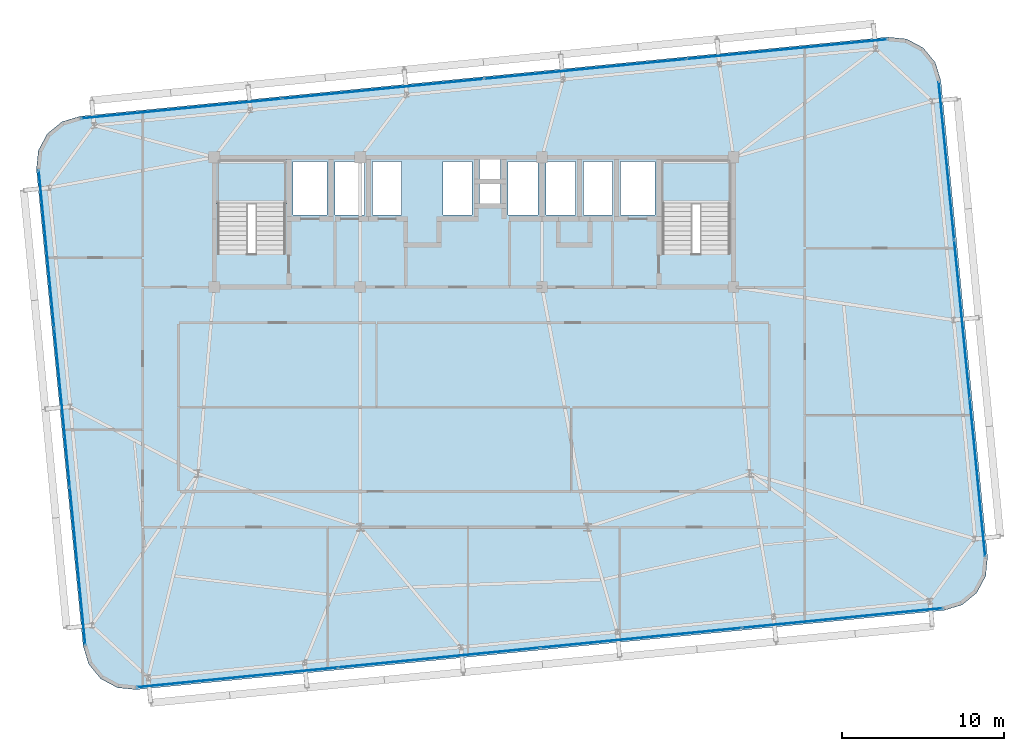
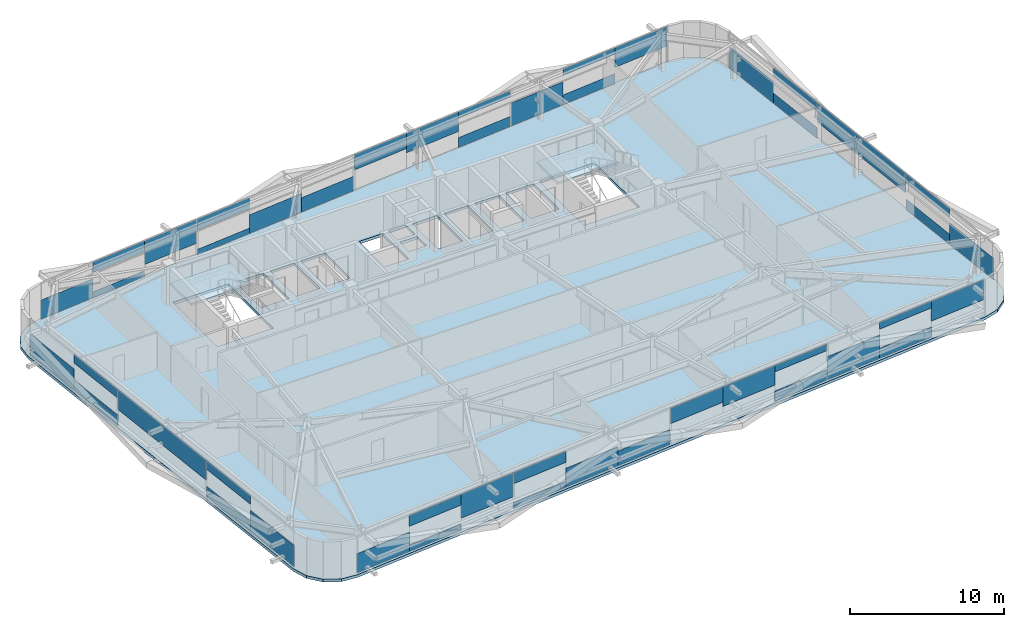
# One storey, part 32 of 47: 46 plates, 3 slabs, 6 elements without a shape of their own.
"""IFC4 building model written with IfcOpenShell, lengths in metres."""

import ifcopenshell
import ifcopenshell.guid

model = None  # the IFC model being written
_history = None  # IfcOwnerHistory: only IFC2X3 demands one
_inside = {}  # id of a spatial element -> (the spatial element, [elements in it])
_under = {}  # id of a project, library or spatial element -> (it, [spatial elements below it])
_declared = {}  # id of a project -> (the project, [libraries it declares])
_typed = {}  # id of a type object -> (the type object, [elements of that type])
_made_of = {}  # id of a material, layer set ... -> (it, [elements and type objects made of it])


def new_model(schema):
    """Start an empty IFC model of exactly this schema.

    Asked for "IFC4X3", IfcOpenShell would pick the latest addendum, in which some entities
    have other attributes; the version numbers below select the first issue.
    IFC2X3 requires an IfcOwnerHistory on every rooted entity: one is made here for all.
    """
    global model, _history
    if schema == "IFC4X3":
        model = ifcopenshell.file(schema_version=(4, 3, 0, 0))
    else:
        model = ifcopenshell.file(schema=schema)
    _inside.clear()
    _under.clear()
    _declared.clear()
    _typed.clear()
    _made_of.clear()
    _history = None
    if model.schema == "IFC2X3":
        org = make("IfcOrganization", Name="unknown")
        user = make(
            "IfcPersonAndOrganization",
            ThePerson=make("IfcPerson", FamilyName="unknown"),
            TheOrganization=org,
        )
        app = make(
            "IfcApplication",
            ApplicationDeveloper=org,
            Version="unknown",
            ApplicationFullName="unknown",
            ApplicationIdentifier="unknown",
        )
        _history = make(
            "IfcOwnerHistory",
            OwningUser=user,
            OwningApplication=app,
            ChangeAction="ADDED",
            CreationDate=0,
        )
    return model


def make(cls, **values):
    """One entity of the class cls with the attributes given. An attribute that is None is left unset."""
    return model.create_entity(
        cls, **{name: value for name, value in values.items() if value is not None}
    )


def rooted(cls, **values):
    """An entity with a GlobalId (a new one), such as an element, a storey or a relation."""
    return make(cls, GlobalId=ifcopenshell.guid.new(), OwnerHistory=_history, **values)


def si_unit(unit_type, name, prefix=None):
    """IfcSIUnit, for example si_unit("LENGTHUNIT", "METRE", prefix="MILLI")."""
    return make("IfcSIUnit", UnitType=unit_type, Prefix=prefix, Name=name)


def assignment(units):
    """IfcUnitAssignment: the units of a project."""
    return None if units is None else make("IfcUnitAssignment", Units=units)


def point(xyz):
    """IfcCartesianPoint."""
    return None if xyz is None else make("IfcCartesianPoint", Coordinates=xyz)


def direction(xyz):
    """IfcDirection."""
    return None if xyz is None else make("IfcDirection", DirectionRatios=xyz)


def frame(location, z_axis=None, x_axis=None):
    """IfcAxis2Placement3D, a coordinate frame: its origin and axes. An axis left out is left unset."""
    return make(
        "IfcAxis2Placement3D",
        Location=point(location),
        Axis=direction(z_axis),
        RefDirection=direction(x_axis),
    )


def frame_2d(location, x_axis=None):
    """IfcAxis2Placement2D, a coordinate frame in the plane: its origin and x axis."""
    return make(
        "IfcAxis2Placement2D", Location=point(location), RefDirection=direction(x_axis)
    )


def origin():
    """The frame at (0, 0, 0) with its axes left unset."""
    return frame((0.0, 0.0, 0.0))


def origin_2d():
    """The frame at (0, 0) in the plane with its x axis left unset."""
    return frame_2d((0.0, 0.0))


def place(relative_to, where):
    """IfcLocalPlacement: puts the frame where relative to a parent placement (None: the world)."""
    return make(
        "IfcLocalPlacement", PlacementRelTo=relative_to, RelativePlacement=where
    )


def context(
    kind, dimensions, precision=None, world=None, true_north=None, identifier=None
):
    """IfcGeometricRepresentationContext, for example the 3D "Model" context."""
    return make(
        "IfcGeometricRepresentationContext",
        ContextIdentifier=identifier,
        ContextType=kind,
        CoordinateSpaceDimension=dimensions,
        Precision=precision,
        WorldCoordinateSystem=world,
        TrueNorth=true_north,
    )


def subcontext(parent, identifier, kind, view, scale=None):
    """IfcGeometricRepresentationSubContext, for example "Body" below "Model"."""
    return make(
        "IfcGeometricRepresentationSubContext",
        ContextIdentifier=identifier,
        ContextType=kind,
        ParentContext=parent,
        TargetScale=scale,
        TargetView=view,
    )


def project(units=None, contexts=None):
    """IfcProject with its units and contexts."""
    return rooted(
        "IfcProject",
        Name="project",
        RepresentationContexts=contexts,
        UnitsInContext=assignment(units),
    )


def spatial(cls, under=None, at=None, **own):
    """A site, building, storey or space (cls), placed at a placement, below another one or the project."""
    s = rooted(cls, ObjectPlacement=at, **own)
    if under is not None:
        _under.setdefault(under.id(), (under, []))[1].append(s)
    return s


def polyline(points):
    """IfcPolyline through the points."""
    return make("IfcPolyline", Points=[point(p) for p in points])


def profile(cls, at=None, kind="AREA", **sizes):
    """A parametric profile (cls). Its sizes go by their IFC names, for example OverallWidth=200.0."""
    return make(cls, ProfileType=kind, Position=at, **sizes)


def rectangle(**sizes):
    """IfcRectangleProfileDef."""
    return profile("IfcRectangleProfileDef", **sizes)


def outline(outer, holes=None, kind="AREA"):
    """IfcArbitraryClosedProfileDef: a profile drawn as a closed curve; with holes, ...WithVoids."""
    if holes is None:
        return make("IfcArbitraryClosedProfileDef", ProfileType=kind, OuterCurve=outer)
    return make(
        "IfcArbitraryProfileDefWithVoids",
        ProfileType=kind,
        OuterCurve=outer,
        InnerCurves=holes,
    )


def extrude(swept, where, along, depth):
    """IfcExtrudedAreaSolid: the profile swept, set in the frame where, extruded along a direction by depth."""
    return make(
        "IfcExtrudedAreaSolid",
        SweptArea=swept,
        Position=where,
        ExtrudedDirection=direction(along),
        Depth=depth,
    )


def shape(context_of_items, identifier, shape_type, items):
    """IfcShapeRepresentation: the items that make up one representation, for example the "Body"."""
    return make(
        "IfcShapeRepresentation",
        ContextOfItems=context_of_items,
        RepresentationIdentifier=identifier,
        RepresentationType=shape_type,
        Items=items,
    )


def source(mapping_origin, context_of_items, identifier, shape_type, items):
    """IfcRepresentationMap: a shape defined once, which mapped items show again and again."""
    return make(
        "IfcRepresentationMap",
        MappingOrigin=mapping_origin,
        MappedRepresentation=shape(context_of_items, identifier, shape_type, items),
    )


def transform(
    local_origin,
    x_axis=None,
    y_axis=None,
    z_axis=None,
    scale=None,
    scale2=None,
    scale3=None,
    uniform=True,
):
    """IfcCartesianTransformationOperator3D, or its non-uniform kind. x_axis, y_axis, z_axis: its Axis1, 2, 3."""
    if uniform:
        return make(
            "IfcCartesianTransformationOperator3D",
            Axis1=direction(x_axis),
            Axis2=direction(y_axis),
            LocalOrigin=point(local_origin),
            Scale=scale,
            Axis3=direction(z_axis),
        )
    return make(
        "IfcCartesianTransformationOperator3DnonUniform",
        Axis1=direction(x_axis),
        Axis2=direction(y_axis),
        LocalOrigin=point(local_origin),
        Scale=scale,
        Axis3=direction(z_axis),
        Scale2=scale2,
        Scale3=scale3,
    )


def mapped(mapping_source, mapping_target):
    """IfcMappedItem: shows the shape of a source again, moved by a transform."""
    return make(
        "IfcMappedItem", MappingSource=mapping_source, MappingTarget=mapping_target
    )


def material(Name=None, Category=None):
    """IfcMaterial."""
    return make("IfcMaterial", Name=Name, Category=Category)


def layer(
    of_material, thickness, ventilated=None, Name=None, Category=None, Priority=None
):
    """IfcMaterialLayer: one layer of a wall or slab, of a material (None: an air gap)."""
    return make(
        "IfcMaterialLayer",
        Material=of_material,
        LayerThickness=thickness,
        IsVentilated=ventilated,
        Name=Name,
        Category=Category,
        Priority=Priority,
    )


def layer_set(layers, Name=None):
    """IfcMaterialLayerSet."""
    return make("IfcMaterialLayerSet", MaterialLayers=layers, LayerSetName=Name)


def made_of(thing, what):
    """Note that an element or type object is made of a material, layer set ...; save() writes the relation."""
    if what is not None:
        _made_of.setdefault(what.id(), (what, []))[1].append(thing)
    return thing


def type_object(cls, material=None, **own):
    """A type object (cls), such as IfcWallType, which elements share."""
    return made_of(rooted(cls, **own), material)


def element(
    cls,
    number,
    at=None,
    inside=None,
    cuts=None,
    type_object=None,
    material=None,
    context=None,
    identifier="Body",
    shape_type=None,
    held_by="IfcProductDefinitionShape",
    body=None,
    shapes=None,
    **own,
):
    """One element of the class cls, such as IfcWall. Its Tag is "e" and its number.

    at: its placement. inside: the storey or other place that contains it. cuts: it is an
    opening in that element (IfcRelVoidsElement). A single representation is given by context,
    identifier, shape_type and body (its items); several are given by shapes. held_by: the class
    of the entity that holds the representations. save() writes the other relations.
    """
    e = rooted(cls, Tag="e%d" % number, ObjectPlacement=at, **own)
    if body is not None:
        shapes = [shape(context, identifier, shape_type, body)]
    if shapes is not None:
        e.Representation = make(held_by, Representations=shapes)
    if inside is not None:
        _inside.setdefault(inside.id(), (inside, []))[1].append(e)
    if cuts is not None:
        rooted(
            "IfcRelVoidsElement", RelatingBuildingElement=cuts, RelatedOpeningElement=e
        )
    if type_object is not None:
        _typed.setdefault(type_object.id(), (type_object, []))[1].append(e)
    return made_of(e, material)


def aggregate(whole, parts):
    """IfcRelAggregates: a whole, such as a stair, and the parts it consists of."""
    return rooted("IfcRelAggregates", RelatingObject=whole, RelatedObjects=parts)


def save(model, path):
    """Write the relations noted so far, then the file.

    IfcRelAggregates (storeys below a building ...), IfcRelContainedInSpatialStructure (elements
    in a storey), IfcRelDefinesByType, IfcRelAssociatesMaterial and IfcRelDeclares: one each for
    every whole, place, type object, material and project.
    """
    for whole, parts in _under.values():
        aggregate(whole, parts)
    for where, things in _inside.values():
        rooted(
            "IfcRelContainedInSpatialStructure",
            RelatedElements=things,
            RelatingStructure=where,
        )
    for kind, things in _typed.values():
        rooted("IfcRelDefinesByType", RelatedObjects=things, RelatingType=kind)
    for what, things in _made_of.values():
        rooted("IfcRelAssociatesMaterial", RelatedObjects=things, RelatingMaterial=what)
    for by, libraries in _declared.values():
        rooted("IfcRelDeclares", RelatingContext=by, RelatedDefinitions=libraries)
    model.write(path)


model = new_model("IFC4")

# Units and contexts
model_context = context("Model", 3, precision=1e-05, world=origin(), true_north=direction((0.0, 1.0)))
body_context = subcontext(model_context, "Body", "Model", "MODEL_VIEW")
ifc_project = project(units=[si_unit("LENGTHUNIT", "METRE"), si_unit("AREAUNIT", "SQUARE_METRE"), si_unit("VOLUMEUNIT", "CUBIC_METRE"), si_unit("PLANEANGLEUNIT", "RADIAN"), si_unit("MASSUNIT", "GRAM", prefix="KILO")], contexts=[model_context])

# Site, building, storey
site_placement = place(None, origin())
site = spatial("IfcSite", under=ifc_project, at=site_placement, CompositionType="ELEMENT")
building_placement = place(site_placement, origin())
building = spatial("IfcBuilding", under=site, at=building_placement, Name="Taldren Reach Tower", CompositionType="ELEMENT")
storey_placement = place(building_placement, frame((0.0, 0.0, 90.300048828125)))
storey = spatial("IfcBuildingStorey", under=building, at=storey_placement, Name="L27", CompositionType="ELEMENT", Elevation=90.300048828125)

# Slab
ifc_material_1 = material(Name="Concrete N40 (40 MPa)", Category="concrete")
ifc_layer_1 = layer(ifc_material_1, 0.219970703125)
ifc_layer_set_1 = layer_set([ifc_layer_1], Name="Concrete N40 (40 MPa)")
slab_type_1 = type_object("IfcSlabType", Name="SL-FLR-220", PredefinedType="FLOOR", material=ifc_layer_set_1)
slab_1_placement = place(storey_placement, frame((0.0, 0.0, -0.219970703125)))
element("IfcSlab", 1, at=slab_1_placement, inside=storey, type_object=slab_type_1, Name="Suspended floor slab L27", PredefinedType="FLOOR", context=body_context, shape_type="SweptSolid", body=[
    extrude(outline(polyline([(63.962890625, 4.07421875), (65.0830078125, 4.41357421875), (65.98828125, 5.15576171875), (66.54052734375, 6.187744140625), (66.65576171875, 7.352783203125), (63.777099609375, 36.7119140625), (63.437744140625, 37.832275390625), (62.695556640625, 38.7373046875), (61.663330078125, 39.28955078125), (60.49853515625, 39.40478515625), (10.7373046875, 34.525634765625), (9.616943359375, 34.1865234375), (8.711669921875, 33.4443359375), (8.159423828125, 32.412109375), (8.044189453125, 31.247314453125), (10.923095703125, 1.88818359375), (11.26220703125, 0.767822265625), (12.00439453125, -0.137451171875), (13.03662109375, -0.689697265625), (14.201416015625, -0.804931640625), (63.962890625, 4.07421875)]), holes=[polyline([(19.219970703125, 26.050048828125), (23.3798828125, 26.050048828125), (23.3798828125, 31.820068359375), (19.219970703125, 31.820068359375), (19.219970703125, 26.050048828125)]), polyline([(46.6201171875, 26.050048828125), (50.780029296875, 26.050048828125), (50.780029296875, 31.820068359375), (46.6201171875, 31.820068359375), (46.6201171875, 26.050048828125)]), polyline([(23.85009765625, 28.449951171875), (25.949951171875, 28.449951171875), (25.949951171875, 31.75), (23.85009765625, 31.75), (23.85009765625, 28.449951171875)]), polyline([(44.050048828125, 28.449951171875), (46.14990234375, 28.449951171875), (46.14990234375, 31.75), (44.050048828125, 31.75), (44.050048828125, 28.449951171875)]), polyline([(26.449951171875, 28.449951171875), (28.25, 28.449951171875), (28.25, 31.75), (26.449951171875, 31.75), (26.449951171875, 28.449951171875)]), polyline([(28.75, 28.449951171875), (30.550048828125, 28.449951171875), (30.550048828125, 31.75), (28.75, 31.75), (28.75, 28.449951171875)]), polyline([(33.10009765625, 28.449951171875), (34.89990234375, 28.449951171875), (34.89990234375, 31.75), (33.10009765625, 31.75), (33.10009765625, 28.449951171875)]), polyline([(37.10009765625, 28.449951171875), (38.949951171875, 28.449951171875), (38.949951171875, 31.75), (37.10009765625, 31.75), (37.10009765625, 28.449951171875)]), polyline([(39.449951171875, 28.449951171875), (41.25, 28.449951171875), (41.25, 31.75), (39.449951171875, 31.75), (39.449951171875, 28.449951171875)]), polyline([(41.75, 28.449951171875), (43.550048828125, 28.449951171875), (43.550048828125, 31.75), (41.75, 31.75), (41.75, 28.449951171875)]), polyline([(35.35009765625, 30.64990234375), (36.64990234375, 30.64990234375), (36.64990234375, 31.85009765625), (35.35009765625, 31.85009765625), (35.35009765625, 30.64990234375)]), polyline([(35.35009765625, 29.14990234375), (36.64990234375, 29.14990234375), (36.64990234375, 30.35009765625), (35.35009765625, 30.35009765625), (35.35009765625, 29.14990234375)])]), origin(), (0.0, 0.0, 1.0), 0.219970703125),
])

# Stair, slab
ifc_material_2 = material(Name="Concrete S50 (50 MPa)", Category="concrete")
stair_type = type_object("IfcStairType", Name="ST-HT-315", PredefinedType="HALF_TURN_STAIR", material=ifc_material_2)
stair_1_placement = place(storey_placement, origin())
stair_1 = element("IfcStair", 2, at=stair_1_placement, inside=storey, type_object=stair_type, Name="Fire-isolated exit stair ST1 L27", PredefinedType="HALF_TURN_STAIR")
ifc_layer_2 = layer(ifc_material_2, 0.179931640625)
ifc_layer_set_2 = layer_set([ifc_layer_2], Name="Concrete S50 (50 MPa)")
slab_type_2 = type_object("IfcSlabType", Name="SL-LAND-180", PredefinedType="LANDING", material=ifc_layer_set_2)
slab_2_placement = place(storey_placement, frame((0.0, 0.0, 1.39501953125)))
slab_2 = element("IfcSlab", 3, at=slab_2_placement, type_object=slab_type_2, Name="ST1 landing 1", PredefinedType="LANDING", context=body_context, shape_type="SweptSolid", body=[
    extrude(outline(polyline([(19.0400390625, 29.135009765625), (23.56005859375, 29.135009765625), (23.56005859375, 31.8701171875), (19.0400390625, 31.8701171875), (19.0400390625, 29.135009765625)])), origin(), (0.0, 0.0, 1.0), 0.179931640625),
])
aggregate(stair_1, [slab_2])

stair_2_placement = place(storey_placement, origin())
stair_2 = element("IfcStair", 4, at=stair_2_placement, inside=storey, type_object=stair_type, Name="Fire-isolated exit stair ST2 L27", PredefinedType="HALF_TURN_STAIR")
slab_3_placement = place(storey_placement, frame((0.0, 0.0, 1.39501953125)))
slab_3 = element("IfcSlab", 5, at=slab_3_placement, type_object=slab_type_2, Name="ST2 landing 1", PredefinedType="LANDING", context=body_context, shape_type="SweptSolid", body=[
    extrude(outline(polyline([(46.43994140625, 29.135009765625), (50.9599609375, 29.135009765625), (50.9599609375, 31.8701171875), (46.43994140625, 31.8701171875), (46.43994140625, 29.135009765625)])), origin(), (0.0, 0.0, 1.0), 0.179931640625),
])
aggregate(stair_2, [slab_3])

# Curtain wall, plate
ifc_material_3 = material(Name="Aluminium and Low-E Glass Unitised System", Category="aluminium")
ifc_layer_3 = layer(ifc_material_3, 0.159912109375)
ifc_layer_set_3 = layer_set([ifc_layer_3], Name="Aluminium and Low-E Glass Unitised System")
curtain_wall_type = type_object("IfcCurtainWallType", Name="CW-SYS-3", PredefinedType="NOTDEFINED", material=ifc_layer_set_3)
curtain_wall_1_placement = place(storey_placement, origin())
curtain_wall_1 = element("IfcCurtainWall", 6, at=curtain_wall_1_placement, inside=storey, type_object=curtain_wall_type, Name="Unitised curtain wall CW-L27-S", PredefinedType="NOTDEFINED")
ifc_material_4 = material(Name="Solar-Control Double Glazed IGU", Category="glass")
ifc_layer_4 = layer(ifc_material_4, 0.031982421875)
ifc_layer_set_4 = layer_set([ifc_layer_4], Name="Solar-Control Double Glazed IGU")
plate_type = type_object("IfcPlateType", Name="CW-PNL-IGU32", PredefinedType="CURTAIN_PANEL", material=ifc_layer_set_4)
shared_shape_1 = source(origin(), body_context, "Body", "SweptSolid", [
    extrude(rectangle(XDim=4.13427734375, YDim=0.031982421875, at=origin_2d()), origin(), (0.0, 0.0, 1.0), 1.5595703125),
])
plate_1_placement = place(storey_placement, frame((61.8271484375, 4.005615234375, 1.3154296875), z_axis=(0.0, 0.0, 1.0), x_axis=(0.995227390247, 0.097582999046, 0.0)))
plate_1 = element("IfcPlate", 7, at=plate_1_placement, type_object=plate_type, Name="CW-3 panel 4.1 part 4", PredefinedType="CURTAIN_PANEL", context=body_context, shape_type="MappedRepresentation", body=[
    mapped(shared_shape_1, transform((0.0, 0.0, 0.0), scale=1.0)),
])

curtain_wall_2_placement = place(storey_placement, origin())
curtain_wall_2 = element("IfcCurtainWall", 8, at=curtain_wall_2_placement, inside=storey, type_object=curtain_wall_type, Name="Unitised curtain wall CW-L27-N", PredefinedType="NOTDEFINED")
plate_2_placement = place(storey_placement, frame((58.390380859375, 39.057373046875, 1.3154296875), z_axis=(0.0, 0.0, 1.0), x_axis=(-0.995227390247, -0.097582999046, 0.0)))
plate_2 = element("IfcPlate", 9, at=plate_2_placement, type_object=plate_type, Name="CW-3 panel 1.1 part 1", PredefinedType="CURTAIN_PANEL", context=body_context, shape_type="MappedRepresentation", body=[
    mapped(shared_shape_1, transform((0.0, 0.0, 0.0), scale=1.0)),
])

# Plate
shared_shape_2 = source(origin(), body_context, "Body", "SweptSolid", [
    extrude(rectangle(XDim=4.13427734375, YDim=0.031982421875, at=origin_2d()), origin(), (0.0, 0.0, 1.0), 0.776123046875),
])
plate_3_placement = place(storey_placement, frame((57.712890625, 3.60205078125, 0.05517578125), z_axis=(0.0, 0.0, 1.0), x_axis=(0.995227390247, 0.097582999046, 0.0)))
plate_3 = element("IfcPlate", 10, at=plate_3_placement, type_object=plate_type, Name="CW-3 panel 4.1 part 2", PredefinedType="CURTAIN_PANEL", context=body_context, shape_type="MappedRepresentation", body=[
    mapped(shared_shape_2, transform((0.0, 0.0, 0.0), scale=1.0)),
])

plate_4_placement = place(storey_placement, frame((54.27587890625, 38.654052734375, 0.05517578125), z_axis=(0.0, 0.0, 1.0), x_axis=(-0.995227390247, -0.097582999046, 0.0)))
plate_4 = element("IfcPlate", 11, at=plate_4_placement, type_object=plate_type, Name="CW-3 panel 1.1 part 2", PredefinedType="CURTAIN_PANEL", context=body_context, shape_type="MappedRepresentation", body=[
    mapped(shared_shape_2, transform((0.0, 0.0, 0.0), scale=1.0)),
])

shared_shape_3 = source(origin(), body_context, "Body", "SweptSolid", [
    extrude(rectangle(XDim=4.13427734375, YDim=0.031982421875, at=origin_2d()), origin(), (0.0, 0.0, 1.0), 0.521728515625),
])
plate_5_placement = place(storey_placement, frame((57.712890625, 3.60205078125, 2.35302734375), z_axis=(0.0, 0.0, 1.0), x_axis=(0.995227390247, 0.097582999046, 0.0)))
plate_5 = element("IfcPlate", 12, at=plate_5_placement, type_object=plate_type, Name="CW-3 panel 4.1 part 3", PredefinedType="CURTAIN_PANEL", context=body_context, shape_type="MappedRepresentation", body=[
    mapped(shared_shape_3, transform((0.0, 0.0, 0.0), scale=1.0)),
])

plate_6_placement = place(storey_placement, frame((54.27587890625, 38.654052734375, 2.35302734375), z_axis=(0.0, 0.0, 1.0), x_axis=(-0.995227390247, -0.097582999046, 0.0)))
plate_6 = element("IfcPlate", 13, at=plate_6_placement, type_object=plate_type, Name="CW-3 panel 1.1 part 3", PredefinedType="CURTAIN_PANEL", context=body_context, shape_type="MappedRepresentation", body=[
    mapped(shared_shape_3, transform((0.0, 0.0, 0.0), scale=1.0)),
])

shared_shape_4 = source(origin(), body_context, "Body", "SweptSolid", [
    extrude(rectangle(XDim=4.13427734375, YDim=0.031982421875, at=origin_2d()), origin(), (0.0, 0.0, 1.0), 1.81396484375),
])
plate_7_placement = place(storey_placement, frame((53.598388671875, 3.19873046875, 0.054931640625), z_axis=(0.0, 0.0, 1.0), x_axis=(0.995227390247, 0.097582999046, 0.0)))
plate_7 = element("IfcPlate", 14, at=plate_7_placement, type_object=plate_type, Name="CW-3 panel 4.1 part 1", PredefinedType="CURTAIN_PANEL", context=body_context, shape_type="MappedRepresentation", body=[
    mapped(shared_shape_4, transform((0.0, 0.0, 0.0), scale=1.0)),
])

plate_8_placement = place(storey_placement, frame((50.161376953125, 38.250732421875, 0.054931640625), z_axis=(0.0, 0.0, 1.0), x_axis=(-0.995227390247, -0.097582999046, 0.0)))
plate_8 = element("IfcPlate", 15, at=plate_8_placement, type_object=plate_type, Name="CW-3 panel 1.1 part 4", PredefinedType="CURTAIN_PANEL", context=body_context, shape_type="MappedRepresentation", body=[
    mapped(shared_shape_4, transform((0.0, 0.0, 0.0), scale=1.0)),
])

shared_shape_5 = source(origin(), body_context, "Body", "SweptSolid", [
    extrude(rectangle(XDim=4.14501953125, YDim=0.031982421875, at=origin_2d()), origin(), (0.0, 0.0, 1.0), 0.797119140625),
])
plate_9_placement = place(storey_placement, frame((49.413818359375, 2.788330078125, 0.05517578125), z_axis=(0.0, 0.0, 1.0), x_axis=(0.995227390247, 0.097582999046, 0.0)))
plate_9 = element("IfcPlate", 16, at=plate_9_placement, type_object=plate_type, Name="CW-3 panel 3.1 part 3", PredefinedType="CURTAIN_PANEL", context=body_context, shape_type="MappedRepresentation", body=[
    mapped(shared_shape_5, transform((0.0, 0.0, 0.0), scale=1.0)),
])

plate_10_placement = place(storey_placement, frame((45.97705078125, 37.84033203125, 0.05517578125), z_axis=(0.0, 0.0, 1.0), x_axis=(-0.995227390247, -0.097582999046, 0.0)))
plate_10 = element("IfcPlate", 17, at=plate_10_placement, type_object=plate_type, Name="CW-3 panel 2.1 part 1", PredefinedType="CURTAIN_PANEL", context=body_context, shape_type="MappedRepresentation", body=[
    mapped(shared_shape_5, transform((0.0, 0.0, 0.0), scale=1.0)),
])

shared_shape_6 = source(origin(), body_context, "Body", "SweptSolid", [
    extrude(rectangle(XDim=4.14501953125, YDim=0.031982421875, at=origin_2d()), origin(), (0.0, 0.0, 1.0), 0.498046875),
])
plate_11_placement = place(storey_placement, frame((49.413818359375, 2.788330078125, 2.376953125), z_axis=(0.0, 0.0, 1.0), x_axis=(0.995227390247, 0.097582999046, 0.0)))
plate_11 = element("IfcPlate", 18, at=plate_11_placement, type_object=plate_type, Name="CW-3 panel 3.1 part 4", PredefinedType="CURTAIN_PANEL", context=body_context, shape_type="MappedRepresentation", body=[
    mapped(shared_shape_6, transform((0.0, 0.0, 0.0), scale=1.0)),
])

plate_12_placement = place(storey_placement, frame((45.97705078125, 37.84033203125, 2.376953125), z_axis=(0.0, 0.0, 1.0), x_axis=(-0.995227390247, -0.097582999046, 0.0)))
plate_12 = element("IfcPlate", 19, at=plate_12_placement, type_object=plate_type, Name="CW-3 panel 2.1 part 2", PredefinedType="CURTAIN_PANEL", context=body_context, shape_type="MappedRepresentation", body=[
    mapped(shared_shape_6, transform((0.0, 0.0, 0.0), scale=1.0)),
])

shared_shape_7 = source(origin(), body_context, "Body", "SweptSolid", [
    extrude(rectangle(XDim=4.14501953125, YDim=0.031982421875, at=origin_2d()), origin(), (0.0, 0.0, 1.0), 1.53857421875),
])
plate_13_placement = place(storey_placement, frame((45.28857421875, 2.384033203125, 1.33642578125), z_axis=(0.0, 0.0, 1.0), x_axis=(0.995227390247, 0.097582999046, 0.0)))
plate_13 = element("IfcPlate", 20, at=plate_13_placement, type_object=plate_type, Name="CW-3 panel 3.1 part 2", PredefinedType="CURTAIN_PANEL", context=body_context, shape_type="MappedRepresentation", body=[
    mapped(shared_shape_7, transform((0.0, 0.0, 0.0), scale=1.0)),
])

plate_14_placement = place(storey_placement, frame((41.851806640625, 37.435791015625, 1.33642578125), z_axis=(0.0, 0.0, 1.0), x_axis=(-0.995227390247, -0.097582999046, 0.0)))
plate_14 = element("IfcPlate", 21, at=plate_14_placement, type_object=plate_type, Name="CW-3 panel 2.1 part 3", PredefinedType="CURTAIN_PANEL", context=body_context, shape_type="MappedRepresentation", body=[
    mapped(shared_shape_7, transform((0.0, 0.0, 0.0), scale=1.0)),
])

shared_shape_8 = source(origin(), body_context, "Body", "SweptSolid", [
    extrude(rectangle(XDim=4.14501953125, YDim=0.031982421875, at=origin_2d()), origin(), (0.0, 0.0, 1.0), 1.2060546875),
])
plate_15_placement = place(storey_placement, frame((41.163330078125, 1.9794921875, 1.6689453125), z_axis=(0.0, 0.0, 1.0), x_axis=(0.995227390247, 0.097582999046, 0.0)))
plate_15 = element("IfcPlate", 22, at=plate_15_placement, type_object=plate_type, Name="CW-3 panel 3.1 part 1", PredefinedType="CURTAIN_PANEL", context=body_context, shape_type="MappedRepresentation", body=[
    mapped(shared_shape_8, transform((0.0, 0.0, 0.0), scale=1.0)),
])

plate_16_placement = place(storey_placement, frame((37.7265625, 37.03125, 1.6689453125), z_axis=(0.0, 0.0, 1.0), x_axis=(-0.995227390247, -0.097582999046, 0.0)))
plate_16 = element("IfcPlate", 23, at=plate_16_placement, type_object=plate_type, Name="CW-3 panel 2.1 part 4", PredefinedType="CURTAIN_PANEL", context=body_context, shape_type="MappedRepresentation", body=[
    mapped(shared_shape_8, transform((0.0, 0.0, 0.0), scale=1.0)),
])

shared_shape_9 = source(origin(), body_context, "Body", "SweptSolid", [
    extrude(rectangle(XDim=4.14501953125, YDim=0.031982421875, at=origin_2d()), origin(), (0.0, 0.0, 1.0), 1.14599609375),
])
plate_17_placement = place(storey_placement, frame((36.973388671875, 1.568603515625, 0.054931640625), z_axis=(0.0, 0.0, 1.0), x_axis=(0.995227390247, 0.097582999046, 0.0)))
plate_17 = element("IfcPlate", 24, at=plate_17_placement, type_object=plate_type, Name="CW-3 panel 2.1 part 4", PredefinedType="CURTAIN_PANEL", context=body_context, shape_type="MappedRepresentation", body=[
    mapped(shared_shape_9, transform((0.0, 0.0, 0.0), scale=1.0)),
])

plate_18_placement = place(storey_placement, frame((33.53662109375, 36.62060546875, 0.054931640625), z_axis=(0.0, 0.0, 1.0), x_axis=(-0.995227390247, -0.097582999046, 0.0)))
plate_18 = element("IfcPlate", 25, at=plate_18_placement, type_object=plate_type, Name="CW-3 panel 3.1 part 1", PredefinedType="CURTAIN_PANEL", context=body_context, shape_type="MappedRepresentation", body=[
    mapped(shared_shape_9, transform((0.0, 0.0, 0.0), scale=1.0)),
])

shared_shape_10 = source(origin(), body_context, "Body", "SweptSolid", [
    extrude(rectangle(XDim=4.14501953125, YDim=0.031982421875, at=origin_2d()), origin(), (0.0, 0.0, 1.0), 1.478759765625),
])
plate_19_placement = place(storey_placement, frame((32.84814453125, 1.1640625, 0.0546875), z_axis=(0.0, 0.0, 1.0), x_axis=(0.995227390247, 0.097582999046, 0.0)))
plate_19 = element("IfcPlate", 26, at=plate_19_placement, type_object=plate_type, Name="CW-3 panel 2.1 part 3", PredefinedType="CURTAIN_PANEL", context=body_context, shape_type="MappedRepresentation", body=[
    mapped(shared_shape_10, transform((0.0, 0.0, 0.0), scale=1.0)),
])

plate_20_placement = place(storey_placement, frame((29.411376953125, 36.216064453125, 0.0546875), z_axis=(0.0, 0.0, 1.0), x_axis=(-0.995227390247, -0.097582999046, 0.0)))
plate_20 = element("IfcPlate", 27, at=plate_20_placement, type_object=plate_type, Name="CW-3 panel 3.1 part 2", PredefinedType="CURTAIN_PANEL", context=body_context, shape_type="MappedRepresentation", body=[
    mapped(shared_shape_10, transform((0.0, 0.0, 0.0), scale=1.0)),
])

shared_shape_11 = source(origin(), body_context, "Body", "SweptSolid", [
    extrude(rectangle(XDim=4.14501953125, YDim=0.031982421875, at=origin_2d()), origin(), (0.0, 0.0, 1.0), 0.43798828125),
])
plate_21_placement = place(storey_placement, frame((28.72314453125, 0.759765625, 0.054931640625), z_axis=(0.0, 0.0, 1.0), x_axis=(0.995227390247, 0.097582999046, 0.0)))
plate_21 = element("IfcPlate", 28, at=plate_21_placement, type_object=plate_type, Name="CW-3 panel 2.1 part 1", PredefinedType="CURTAIN_PANEL", context=body_context, shape_type="MappedRepresentation", body=[
    mapped(shared_shape_11, transform((0.0, 0.0, 0.0), scale=1.0)),
])

plate_22_placement = place(storey_placement, frame((25.2861328125, 35.8115234375, 0.054931640625), z_axis=(0.0, 0.0, 1.0), x_axis=(-0.995227390247, -0.097582999046, 0.0)))
plate_22 = element("IfcPlate", 29, at=plate_22_placement, type_object=plate_type, Name="CW-3 panel 3.1 part 3", PredefinedType="CURTAIN_PANEL", context=body_context, shape_type="MappedRepresentation", body=[
    mapped(shared_shape_11, transform((0.0, 0.0, 0.0), scale=1.0)),
])

shared_shape_12 = source(origin(), body_context, "Body", "SweptSolid", [
    extrude(rectangle(XDim=4.14501953125, YDim=0.031982421875, at=origin_2d()), origin(), (0.0, 0.0, 1.0), 0.857177734375),
])
plate_23_placement = place(storey_placement, frame((28.72314453125, 0.759765625, 2.017578125), z_axis=(0.0, 0.0, 1.0), x_axis=(0.995227390247, 0.097582999046, 0.0)))
plate_23 = element("IfcPlate", 30, at=plate_23_placement, type_object=plate_type, Name="CW-3 panel 2.1 part 2", PredefinedType="CURTAIN_PANEL", context=body_context, shape_type="MappedRepresentation", body=[
    mapped(shared_shape_12, transform((0.0, 0.0, 0.0), scale=1.0)),
])

plate_24_placement = place(storey_placement, frame((25.2861328125, 35.8115234375, 2.017578125), z_axis=(0.0, 0.0, 1.0), x_axis=(-0.995227390247, -0.097582999046, 0.0)))
plate_24 = element("IfcPlate", 31, at=plate_24_placement, type_object=plate_type, Name="CW-3 panel 3.1 part 4", PredefinedType="CURTAIN_PANEL", context=body_context, shape_type="MappedRepresentation", body=[
    mapped(shared_shape_12, transform((0.0, 0.0, 0.0), scale=1.0)),
])

shared_shape_13 = source(origin(), body_context, "Body", "SweptSolid", [
    extrude(rectangle(XDim=4.13427734375, YDim=0.031982421875, at=origin_2d()), origin(), (0.0, 0.0, 1.0), 1.8740234375),
])
plate_25_placement = place(storey_placement, frame((24.53857421875, 0.349365234375, 1.0009765625), z_axis=(0.0, 0.0, 1.0), x_axis=(0.995227390247, 0.097582999046, 0.0)))
plate_25 = element("IfcPlate", 32, at=plate_25_placement, type_object=plate_type, Name="CW-3 panel 1.1 part 4", PredefinedType="CURTAIN_PANEL", context=body_context, shape_type="MappedRepresentation", body=[
    mapped(shared_shape_13, transform((0.0, 0.0, 0.0), scale=1.0)),
])

plate_26_placement = place(storey_placement, frame((21.1015625, 35.4013671875, 1.0009765625), z_axis=(0.0, 0.0, 1.0), x_axis=(-0.995227390247, -0.097582999046, 0.0)))
plate_26 = element("IfcPlate", 33, at=plate_26_placement, type_object=plate_type, Name="CW-3 panel 4.1 part 1", PredefinedType="CURTAIN_PANEL", context=body_context, shape_type="MappedRepresentation", body=[
    mapped(shared_shape_13, transform((0.0, 0.0, 0.0), scale=1.0)),
])

shared_shape_14 = source(origin(), body_context, "Body", "SweptSolid", [
    extrude(rectangle(XDim=4.13427734375, YDim=0.031982421875, at=origin_2d()), origin(), (0.0, 0.0, 1.0), 0.461669921875),
])
plate_27_placement = place(storey_placement, frame((20.424072265625, -0.053955078125, 0.05517578125), z_axis=(0.0, 0.0, 1.0), x_axis=(0.995227390247, 0.097582999046, 0.0)))
plate_27 = element("IfcPlate", 34, at=plate_27_placement, type_object=plate_type, Name="CW-3 panel 1.1 part 2", PredefinedType="CURTAIN_PANEL", context=body_context, shape_type="MappedRepresentation", body=[
    mapped(shared_shape_14, transform((0.0, 0.0, 0.0), scale=1.0)),
])

plate_28_placement = place(storey_placement, frame((16.9873046875, 34.997802734375, 0.05517578125), z_axis=(0.0, 0.0, 1.0), x_axis=(-0.995227390247, -0.097582999046, 0.0)))
plate_28 = element("IfcPlate", 35, at=plate_28_placement, type_object=plate_type, Name="CW-3 panel 4.1 part 2", PredefinedType="CURTAIN_PANEL", context=body_context, shape_type="MappedRepresentation", body=[
    mapped(shared_shape_14, transform((0.0, 0.0, 0.0), scale=1.0)),
])

shared_shape_15 = source(origin(), body_context, "Body", "SweptSolid", [
    extrude(rectangle(XDim=4.13427734375, YDim=0.031982421875, at=origin_2d()), origin(), (0.0, 0.0, 1.0), 0.836181640625),
])
plate_29_placement = place(storey_placement, frame((20.424072265625, -0.053955078125, 2.03857421875), z_axis=(0.0, 0.0, 1.0), x_axis=(0.995227390247, 0.097582999046, 0.0)))
plate_29 = element("IfcPlate", 36, at=plate_29_placement, type_object=plate_type, Name="CW-3 panel 1.1 part 3", PredefinedType="CURTAIN_PANEL", context=body_context, shape_type="MappedRepresentation", body=[
    mapped(shared_shape_15, transform((0.0, 0.0, 0.0), scale=1.0)),
])

plate_30_placement = place(storey_placement, frame((16.9873046875, 34.997802734375, 2.03857421875), z_axis=(0.0, 0.0, 1.0), x_axis=(-0.995227390247, -0.097582999046, 0.0)))
plate_30 = element("IfcPlate", 37, at=plate_30_placement, type_object=plate_type, Name="CW-3 panel 4.1 part 3", PredefinedType="CURTAIN_PANEL", context=body_context, shape_type="MappedRepresentation", body=[
    mapped(shared_shape_15, transform((0.0, 0.0, 0.0), scale=1.0)),
])

shared_shape_16 = source(origin(), body_context, "Body", "SweptSolid", [
    extrude(rectangle(XDim=4.13427734375, YDim=0.031982421875, at=origin_2d()), origin(), (0.0, 0.0, 1.0), 1.49951171875),
])
plate_31_placement = place(storey_placement, frame((16.3095703125, -0.45751953125, 0.054931640625), z_axis=(0.0, 0.0, 1.0), x_axis=(0.995227390247, 0.097582999046, 0.0)))
plate_31 = element("IfcPlate", 38, at=plate_31_placement, type_object=plate_type, Name="CW-3 panel 1.1 part 1", PredefinedType="CURTAIN_PANEL", context=body_context, shape_type="MappedRepresentation", body=[
    mapped(shared_shape_16, transform((0.0, 0.0, 0.0), scale=1.0)),
])

aggregate(curtain_wall_1, [plate_31, plate_27, plate_29, plate_25, plate_21, plate_23, plate_19, plate_17, plate_15, plate_13, plate_9, plate_11, plate_7, plate_3, plate_5, plate_1])

plate_32_placement = place(storey_placement, frame((12.872802734375, 34.594482421875, 0.054931640625), z_axis=(0.0, 0.0, 1.0), x_axis=(-0.995227390247, -0.097582999046, 0.0)))
plate_32 = element("IfcPlate", 39, at=plate_32_placement, type_object=plate_type, Name="CW-3 panel 4.1 part 4", PredefinedType="CURTAIN_PANEL", context=body_context, shape_type="MappedRepresentation", body=[
    mapped(shared_shape_16, transform((0.0, 0.0, 0.0), scale=1.0)),
])

aggregate(curtain_wall_2, [plate_2, plate_4, plate_6, plate_8, plate_10, plate_12, plate_14, plate_16, plate_18, plate_20, plate_22, plate_24, plate_26, plate_28, plate_30, plate_32])

# Curtain wall, plates
curtain_wall_3_placement = place(storey_placement, origin())
curtain_wall_3 = element("IfcCurtainWall", 40, at=curtain_wall_3_placement, inside=storey, type_object=curtain_wall_type, Name="Unitised curtain wall CW-L27-W", PredefinedType="NOTDEFINED")
shared_shape_17 = source(origin(), body_context, "Body", "SweptSolid", [
    extrude(rectangle(XDim=4.867919921875, YDim=0.031982421875, at=origin_2d()), origin(), (0.0, 0.0, 1.0), 1.686767578125),
])
plate_33_placement = place(storey_placement, frame((8.427490234375, 28.77392578125, 0.05517578125), z_axis=(0.0, 0.0, 1.0), x_axis=(0.09758274098, -0.99522741555, 0.0)))
plate_33 = element("IfcPlate", 41, at=plate_33_placement, type_object=plate_type, Name="CW-3 panel 1.1 part 1", PredefinedType="CURTAIN_PANEL", context=body_context, shape_type="MappedRepresentation", body=[
    mapped(shared_shape_17, transform((0.0, 0.0, 0.0), scale=1.0)),
])
plate_34_placement = place(storey_placement, frame((10.818359375, 4.388671875, 0.05517578125), z_axis=(0.0, 0.0, 1.0), x_axis=(0.09758274098, -0.99522741555, 0.0)))
plate_34 = element("IfcPlate", 42, at=plate_34_placement, type_object=plate_type, Name="CW-3 panel 3.1 part 3", PredefinedType="CURTAIN_PANEL", context=body_context, shape_type="MappedRepresentation", body=[
    mapped(shared_shape_17, transform((0.0, 0.0, 0.0), scale=1.0)),
])

curtain_wall_4_placement = place(storey_placement, origin())
curtain_wall_4 = element("IfcCurtainWall", 43, at=curtain_wall_4_placement, inside=storey, type_object=curtain_wall_type, Name="Unitised curtain wall CW-L27-E", PredefinedType="NOTDEFINED")
plate_35_placement = place(storey_placement, frame((66.2724609375, 9.826171875, 0.05517578125), z_axis=(0.0, 0.0, 1.0), x_axis=(-0.09758274098, 0.99522741555, 0.0)))
plate_35 = element("IfcPlate", 44, at=plate_35_placement, type_object=plate_type, Name="CW-3 panel 1.1 part 1", PredefinedType="CURTAIN_PANEL", context=body_context, shape_type="MappedRepresentation", body=[
    mapped(shared_shape_17, transform((0.0, 0.0, 0.0), scale=1.0)),
])
plate_36_placement = place(storey_placement, frame((63.881591796875, 34.211181640625, 0.05517578125), z_axis=(0.0, 0.0, 1.0), x_axis=(-0.09758274098, 0.99522741555, 0.0)))
plate_36 = element("IfcPlate", 45, at=plate_36_placement, type_object=plate_type, Name="CW-3 panel 3.1 part 3", PredefinedType="CURTAIN_PANEL", context=body_context, shape_type="MappedRepresentation", body=[
    mapped(shared_shape_17, transform((0.0, 0.0, 0.0), scale=1.0)),
])

# Plate
shared_shape_18 = source(origin(), body_context, "Body", "SweptSolid", [
    extrude(rectangle(XDim=4.867919921875, YDim=0.031982421875, at=origin_2d()), origin(), (0.0, 0.0, 1.0), 0.81396484375),
])
plate_37_placement = place(storey_placement, frame((8.902587890625, 23.92919921875, 0.054931640625), z_axis=(0.0, 0.0, 1.0), x_axis=(0.09758274098, -0.99522741555, 0.0)))
plate_37 = element("IfcPlate", 46, at=plate_37_placement, type_object=plate_type, Name="CW-3 panel 1.1 part 2", PredefinedType="CURTAIN_PANEL", context=body_context, shape_type="MappedRepresentation", body=[
    mapped(shared_shape_18, transform((0.0, 0.0, 0.0), scale=1.0)),
])

plate_38_placement = place(storey_placement, frame((10.343505859375, 9.2333984375, 0.054931640625), z_axis=(0.0, 0.0, 1.0), x_axis=(0.09758274098, -0.99522741555, 0.0)))
plate_38 = element("IfcPlate", 47, at=plate_38_placement, type_object=plate_type, Name="CW-3 panel 3.1 part 1", PredefinedType="CURTAIN_PANEL", context=body_context, shape_type="MappedRepresentation", body=[
    mapped(shared_shape_18, transform((0.0, 0.0, 0.0), scale=1.0)),
])

plate_39_placement = place(storey_placement, frame((65.797607421875, 14.670654296875, 0.054931640625), z_axis=(0.0, 0.0, 1.0), x_axis=(-0.09758274098, 0.99522741555, 0.0)))
plate_39 = element("IfcPlate", 48, at=plate_39_placement, type_object=plate_type, Name="CW-3 panel 1.1 part 2", PredefinedType="CURTAIN_PANEL", context=body_context, shape_type="MappedRepresentation", body=[
    mapped(shared_shape_18, transform((0.0, 0.0, 0.0), scale=1.0)),
])

plate_40_placement = place(storey_placement, frame((64.356689453125, 29.366455078125, 0.054931640625), z_axis=(0.0, 0.0, 1.0), x_axis=(-0.09758274098, 0.99522741555, 0.0)))
plate_40 = element("IfcPlate", 49, at=plate_40_placement, type_object=plate_type, Name="CW-3 panel 3.1 part 1", PredefinedType="CURTAIN_PANEL", context=body_context, shape_type="MappedRepresentation", body=[
    mapped(shared_shape_18, transform((0.0, 0.0, 0.0), scale=1.0)),
])

shared_shape_19 = source(origin(), body_context, "Body", "SweptSolid", [
    extrude(rectangle(XDim=4.867919921875, YDim=0.031982421875, at=origin_2d()), origin(), (0.0, 0.0, 1.0), 0.65576171875),
])
plate_41_placement = place(storey_placement, frame((8.902587890625, 23.92919921875, 2.21923828125), z_axis=(0.0, 0.0, 1.0), x_axis=(0.09758274098, -0.99522741555, 0.0)))
plate_41 = element("IfcPlate", 50, at=plate_41_placement, type_object=plate_type, Name="CW-3 panel 1.1 part 3", PredefinedType="CURTAIN_PANEL", context=body_context, shape_type="MappedRepresentation", body=[
    mapped(shared_shape_19, transform((0.0, 0.0, 0.0), scale=1.0)),
])

plate_42_placement = place(storey_placement, frame((10.343505859375, 9.2333984375, 2.21923828125), z_axis=(0.0, 0.0, 1.0), x_axis=(0.09758274098, -0.99522741555, 0.0)))
plate_42 = element("IfcPlate", 51, at=plate_42_placement, type_object=plate_type, Name="CW-3 panel 3.1 part 2", PredefinedType="CURTAIN_PANEL", context=body_context, shape_type="MappedRepresentation", body=[
    mapped(shared_shape_19, transform((0.0, 0.0, 0.0), scale=1.0)),
])

plate_43_placement = place(storey_placement, frame((65.797607421875, 14.670654296875, 2.21923828125), z_axis=(0.0, 0.0, 1.0), x_axis=(-0.09758274098, 0.99522741555, 0.0)))
plate_43 = element("IfcPlate", 52, at=plate_43_placement, type_object=plate_type, Name="CW-3 panel 1.1 part 3", PredefinedType="CURTAIN_PANEL", context=body_context, shape_type="MappedRepresentation", body=[
    mapped(shared_shape_19, transform((0.0, 0.0, 0.0), scale=1.0)),
])

plate_44_placement = place(storey_placement, frame((64.356689453125, 29.366455078125, 2.21923828125), z_axis=(0.0, 0.0, 1.0), x_axis=(-0.09758274098, 0.99522741555, 0.0)))
plate_44 = element("IfcPlate", 53, at=plate_44_placement, type_object=plate_type, Name="CW-3 panel 3.1 part 2", PredefinedType="CURTAIN_PANEL", context=body_context, shape_type="MappedRepresentation", body=[
    mapped(shared_shape_19, transform((0.0, 0.0, 0.0), scale=1.0)),
])

shared_shape_20 = source(origin(), body_context, "Body", "SweptSolid", [
    extrude(rectangle(XDim=9.768310546875, YDim=0.031982421875, at=origin_2d()), origin(), (0.0, 0.0, 1.0), 1.54052734375),
])
plate_45_placement = place(storey_placement, frame((9.623046875, 16.581298828125, 1.33447265625), z_axis=(0.0, 0.0, 1.0), x_axis=(0.09758274098, -0.99522741555, 0.0)))
plate_45 = element("IfcPlate", 54, at=plate_45_placement, type_object=plate_type, Name="CW-3 panel 2.1 part 1", PredefinedType="CURTAIN_PANEL", context=body_context, shape_type="MappedRepresentation", body=[
    mapped(shared_shape_20, transform((0.0, 0.0, 0.0), scale=1.0)),
])

aggregate(curtain_wall_3, [plate_33, plate_37, plate_41, plate_45, plate_38, plate_42, plate_34])

plate_46_placement = place(storey_placement, frame((65.0771484375, 22.0185546875, 1.33447265625), z_axis=(0.0, 0.0, 1.0), x_axis=(-0.09758274098, 0.99522741555, 0.0)))
plate_46 = element("IfcPlate", 55, at=plate_46_placement, type_object=plate_type, Name="CW-3 panel 2.1 part 1", PredefinedType="CURTAIN_PANEL", context=body_context, shape_type="MappedRepresentation", body=[
    mapped(shared_shape_20, transform((0.0, 0.0, 0.0), scale=1.0)),
])

aggregate(curtain_wall_4, [plate_35, plate_39, plate_43, plate_46, plate_40, plate_44, plate_36])

save(model, "model.ifc")
